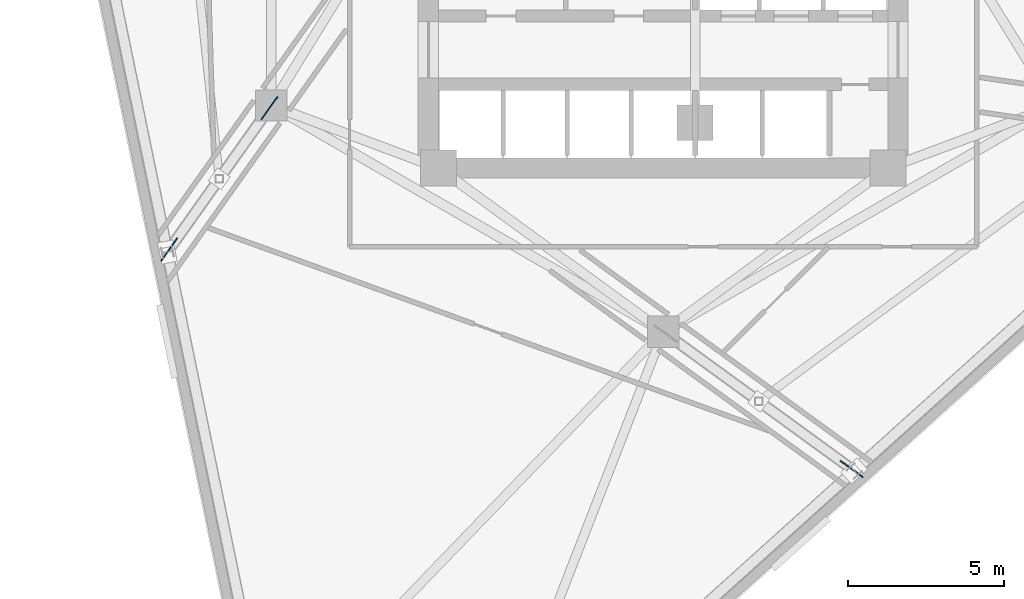
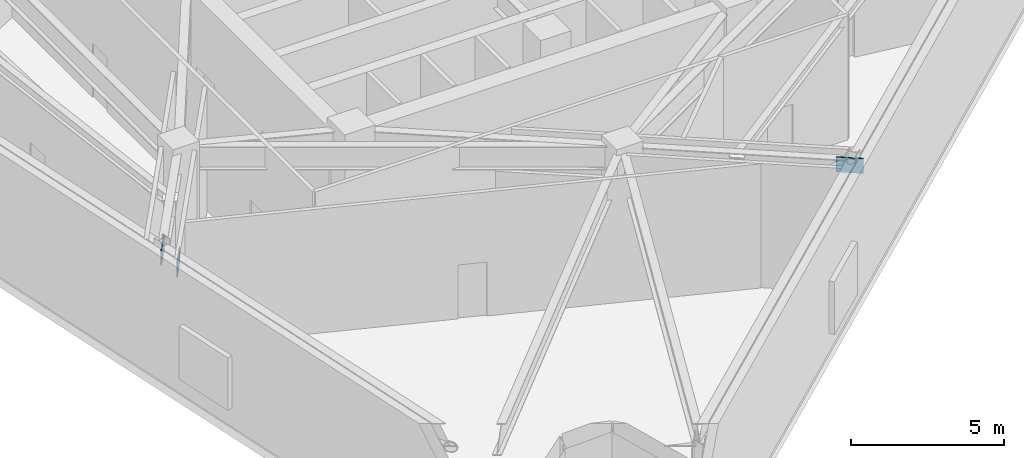
# One storey, part 8 of 16: 3 plates.
"""IFC4 building model written with IfcOpenShell, lengths in metres."""

import ifcopenshell
import ifcopenshell.guid

model = None  # the IFC model being written
_history = None  # IfcOwnerHistory: only IFC2X3 demands one
_inside = {}  # id of a spatial element -> (the spatial element, [elements in it])
_under = {}  # id of a project, library or spatial element -> (it, [spatial elements below it])
_declared = {}  # id of a project -> (the project, [libraries it declares])
_typed = {}  # id of a type object -> (the type object, [elements of that type])
_made_of = {}  # id of a material, layer set ... -> (it, [elements and type objects made of it])


def new_model(schema):
    """Start an empty IFC model of exactly this schema.

    Asked for "IFC4X3", IfcOpenShell would pick the latest addendum, in which some entities
    have other attributes; the version numbers below select the first issue.
    IFC2X3 requires an IfcOwnerHistory on every rooted entity: one is made here for all.
    """
    global model, _history
    if schema == "IFC4X3":
        model = ifcopenshell.file(schema_version=(4, 3, 0, 0))
    else:
        model = ifcopenshell.file(schema=schema)
    _inside.clear()
    _under.clear()
    _declared.clear()
    _typed.clear()
    _made_of.clear()
    _history = None
    if model.schema == "IFC2X3":
        org = make("IfcOrganization", Name="unknown")
        user = make(
            "IfcPersonAndOrganization",
            ThePerson=make("IfcPerson", FamilyName="unknown"),
            TheOrganization=org,
        )
        app = make(
            "IfcApplication",
            ApplicationDeveloper=org,
            Version="unknown",
            ApplicationFullName="unknown",
            ApplicationIdentifier="unknown",
        )
        _history = make(
            "IfcOwnerHistory",
            OwningUser=user,
            OwningApplication=app,
            ChangeAction="ADDED",
            CreationDate=0,
        )
    return model


def make(cls, **values):
    """One entity of the class cls with the attributes given. An attribute that is None is left unset."""
    return model.create_entity(
        cls, **{name: value for name, value in values.items() if value is not None}
    )


def rooted(cls, **values):
    """An entity with a GlobalId (a new one), such as an element, a storey or a relation."""
    return make(cls, GlobalId=ifcopenshell.guid.new(), OwnerHistory=_history, **values)


def si_unit(unit_type, name, prefix=None):
    """IfcSIUnit, for example si_unit("LENGTHUNIT", "METRE", prefix="MILLI")."""
    return make("IfcSIUnit", UnitType=unit_type, Prefix=prefix, Name=name)


def assignment(units):
    """IfcUnitAssignment: the units of a project."""
    return None if units is None else make("IfcUnitAssignment", Units=units)


def point(xyz):
    """IfcCartesianPoint."""
    return None if xyz is None else make("IfcCartesianPoint", Coordinates=xyz)


def direction(xyz):
    """IfcDirection."""
    return None if xyz is None else make("IfcDirection", DirectionRatios=xyz)


def frame(location, z_axis=None, x_axis=None):
    """IfcAxis2Placement3D, a coordinate frame: its origin and axes. An axis left out is left unset."""
    return make(
        "IfcAxis2Placement3D",
        Location=point(location),
        Axis=direction(z_axis),
        RefDirection=direction(x_axis),
    )


def frame_2d(location, x_axis=None):
    """IfcAxis2Placement2D, a coordinate frame in the plane: its origin and x axis."""
    return make(
        "IfcAxis2Placement2D", Location=point(location), RefDirection=direction(x_axis)
    )


def origin():
    """The frame at (0, 0, 0) with its axes left unset."""
    return frame((0.0, 0.0, 0.0))


def origin_2d():
    """The frame at (0, 0) in the plane with its x axis left unset."""
    return frame_2d((0.0, 0.0))


def place(relative_to, where):
    """IfcLocalPlacement: puts the frame where relative to a parent placement (None: the world)."""
    return make(
        "IfcLocalPlacement", PlacementRelTo=relative_to, RelativePlacement=where
    )


def context(
    kind, dimensions, precision=None, world=None, true_north=None, identifier=None
):
    """IfcGeometricRepresentationContext, for example the 3D "Model" context."""
    return make(
        "IfcGeometricRepresentationContext",
        ContextIdentifier=identifier,
        ContextType=kind,
        CoordinateSpaceDimension=dimensions,
        Precision=precision,
        WorldCoordinateSystem=world,
        TrueNorth=true_north,
    )


def subcontext(parent, identifier, kind, view, scale=None):
    """IfcGeometricRepresentationSubContext, for example "Body" below "Model"."""
    return make(
        "IfcGeometricRepresentationSubContext",
        ContextIdentifier=identifier,
        ContextType=kind,
        ParentContext=parent,
        TargetScale=scale,
        TargetView=view,
    )


def project(units=None, contexts=None):
    """IfcProject with its units and contexts."""
    return rooted(
        "IfcProject",
        Name="project",
        RepresentationContexts=contexts,
        UnitsInContext=assignment(units),
    )


def spatial(cls, under=None, at=None, **own):
    """A site, building, storey or space (cls), placed at a placement, below another one or the project."""
    s = rooted(cls, ObjectPlacement=at, **own)
    if under is not None:
        _under.setdefault(under.id(), (under, []))[1].append(s)
    return s


def profile(cls, at=None, kind="AREA", **sizes):
    """A parametric profile (cls). Its sizes go by their IFC names, for example OverallWidth=200.0."""
    return make(cls, ProfileType=kind, Position=at, **sizes)


def rectangle(**sizes):
    """IfcRectangleProfileDef."""
    return profile("IfcRectangleProfileDef", **sizes)


def extrude(swept, where, along, depth):
    """IfcExtrudedAreaSolid: the profile swept, set in the frame where, extruded along a direction by depth."""
    return make(
        "IfcExtrudedAreaSolid",
        SweptArea=swept,
        Position=where,
        ExtrudedDirection=direction(along),
        Depth=depth,
    )


def shape(context_of_items, identifier, shape_type, items):
    """IfcShapeRepresentation: the items that make up one representation, for example the "Body"."""
    return make(
        "IfcShapeRepresentation",
        ContextOfItems=context_of_items,
        RepresentationIdentifier=identifier,
        RepresentationType=shape_type,
        Items=items,
    )


def material(Name=None, Category=None):
    """IfcMaterial."""
    return make("IfcMaterial", Name=Name, Category=Category)


def layer(
    of_material, thickness, ventilated=None, Name=None, Category=None, Priority=None
):
    """IfcMaterialLayer: one layer of a wall or slab, of a material (None: an air gap)."""
    return make(
        "IfcMaterialLayer",
        Material=of_material,
        LayerThickness=thickness,
        IsVentilated=ventilated,
        Name=Name,
        Category=Category,
        Priority=Priority,
    )


def layer_set(layers, Name=None):
    """IfcMaterialLayerSet."""
    return make("IfcMaterialLayerSet", MaterialLayers=layers, LayerSetName=Name)


def made_of(thing, what):
    """Note that an element or type object is made of a material, layer set ...; save() writes the relation."""
    if what is not None:
        _made_of.setdefault(what.id(), (what, []))[1].append(thing)
    return thing


def type_object(cls, material=None, **own):
    """A type object (cls), such as IfcWallType, which elements share."""
    return made_of(rooted(cls, **own), material)


def element(
    cls,
    number,
    at=None,
    inside=None,
    cuts=None,
    type_object=None,
    material=None,
    context=None,
    identifier="Body",
    shape_type=None,
    held_by="IfcProductDefinitionShape",
    body=None,
    shapes=None,
    **own,
):
    """One element of the class cls, such as IfcWall. Its Tag is "e" and its number.

    at: its placement. inside: the storey or other place that contains it. cuts: it is an
    opening in that element (IfcRelVoidsElement). A single representation is given by context,
    identifier, shape_type and body (its items); several are given by shapes. held_by: the class
    of the entity that holds the representations. save() writes the other relations.
    """
    e = rooted(cls, Tag="e%d" % number, ObjectPlacement=at, **own)
    if body is not None:
        shapes = [shape(context, identifier, shape_type, body)]
    if shapes is not None:
        e.Representation = make(held_by, Representations=shapes)
    if inside is not None:
        _inside.setdefault(inside.id(), (inside, []))[1].append(e)
    if cuts is not None:
        rooted(
            "IfcRelVoidsElement", RelatingBuildingElement=cuts, RelatedOpeningElement=e
        )
    if type_object is not None:
        _typed.setdefault(type_object.id(), (type_object, []))[1].append(e)
    return made_of(e, material)


def aggregate(whole, parts):
    """IfcRelAggregates: a whole, such as a stair, and the parts it consists of."""
    return rooted("IfcRelAggregates", RelatingObject=whole, RelatedObjects=parts)


def save(model, path):
    """Write the relations noted so far, then the file.

    IfcRelAggregates (storeys below a building ...), IfcRelContainedInSpatialStructure (elements
    in a storey), IfcRelDefinesByType, IfcRelAssociatesMaterial and IfcRelDeclares: one each for
    every whole, place, type object, material and project.
    """
    for whole, parts in _under.values():
        aggregate(whole, parts)
    for where, things in _inside.values():
        rooted(
            "IfcRelContainedInSpatialStructure",
            RelatedElements=things,
            RelatingStructure=where,
        )
    for kind, things in _typed.values():
        rooted("IfcRelDefinesByType", RelatedObjects=things, RelatingType=kind)
    for what, things in _made_of.values():
        rooted("IfcRelAssociatesMaterial", RelatedObjects=things, RelatingMaterial=what)
    for by, libraries in _declared.values():
        rooted("IfcRelDeclares", RelatingContext=by, RelatedDefinitions=libraries)
    model.write(path)


model = new_model("IFC4")

# Units and contexts
model_context = context("Model", 3, precision=1e-05, world=origin(), true_north=direction((0.0, 1.0)))
body_context = subcontext(model_context, "Body", "Model", "MODEL_VIEW")
ifc_project = project(units=[si_unit("LENGTHUNIT", "METRE"), si_unit("AREAUNIT", "SQUARE_METRE"), si_unit("VOLUMEUNIT", "CUBIC_METRE"), si_unit("PLANEANGLEUNIT", "RADIAN"), si_unit("MASSUNIT", "GRAM", prefix="KILO")], contexts=[model_context])

# Site, building, storey
site_placement = place(None, origin())
site = spatial("IfcSite", under=ifc_project, at=site_placement, CompositionType="ELEMENT")
building_placement = place(site_placement, origin())
building = spatial("IfcBuilding", under=site, at=building_placement, Name="Apsidion Concourse Tower", CompositionType="ELEMENT")
storey_placement = place(building_placement, frame((0.0, 0.0, 227.0)))
storey = spatial("IfcBuildingStorey", under=building, at=storey_placement, Name="L53", CompositionType="ELEMENT", Elevation=227.0)

# Plates
ifc_material = material(Name="Structural steel ASTM A572 Grade 50", Category="steel")
ifc_layer = layer(ifc_material, 0.0400390625)
ifc_layer_set = layer_set([ifc_layer], Name="Structural steel ASTM A572 Grade 50")
plate_type = type_object("IfcPlateType", Name="PL-GUSSET-40", PredefinedType="SHEET", material=ifc_layer_set)
for number, where, z_axis, x_axis, name in (
    (1, (-12.617919921875, -7.33154296875, 0.02001953125), (0.0, 0.0, 1.0), (0.578427255041, 0.815733970499, 0.0), "L53 Outrigger Inner Node Gusset Plate ONA-01"),
    (2, (-15.830810546875, -11.8623046875, 4.369873046875), (0.0, 0.0, 1.0), (0.578427255041, 0.815733970499, 0.0), "L53 Outrigger Outer Node Gusset Plate ONB-01"),
    (3, (6.041015625, -18.89599609375, 4.369873046875), (0.0, 0.0, 1.0), (-0.808606445738, 0.588349909417, 0.0), "L53 Outrigger Outer Node Gusset Plate ONB-06"),
):
    element("IfcPlate", number, at=place(storey_placement, frame(where, z_axis=z_axis, x_axis=x_axis)), inside=storey, type_object=plate_type, Name=name, PredefinedType="SHEET", context=body_context, shape_type="SweptSolid", body=[
        extrude(rectangle(XDim=0.89990234375, YDim=0.0400390625, at=origin_2d()), origin(), (0.0, 0.0, 1.0), 0.60009765625),
    ])

save(model, "model.ifc")
